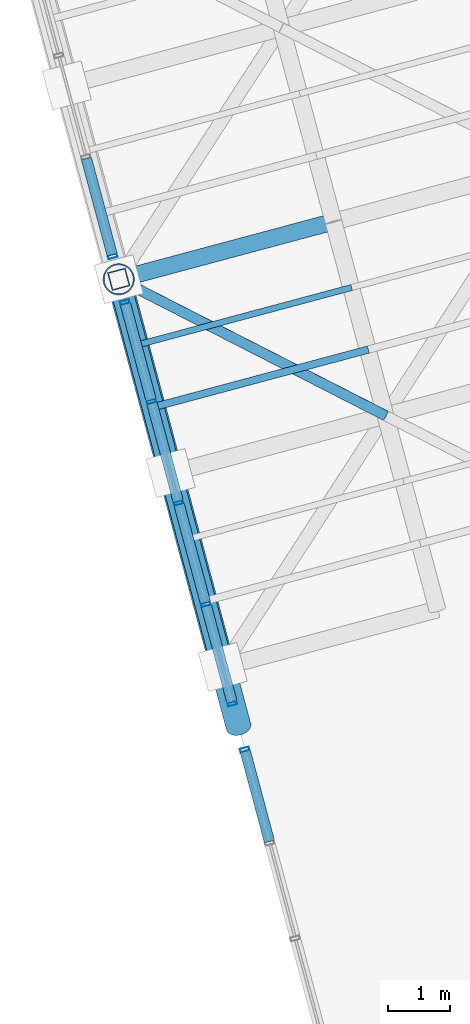
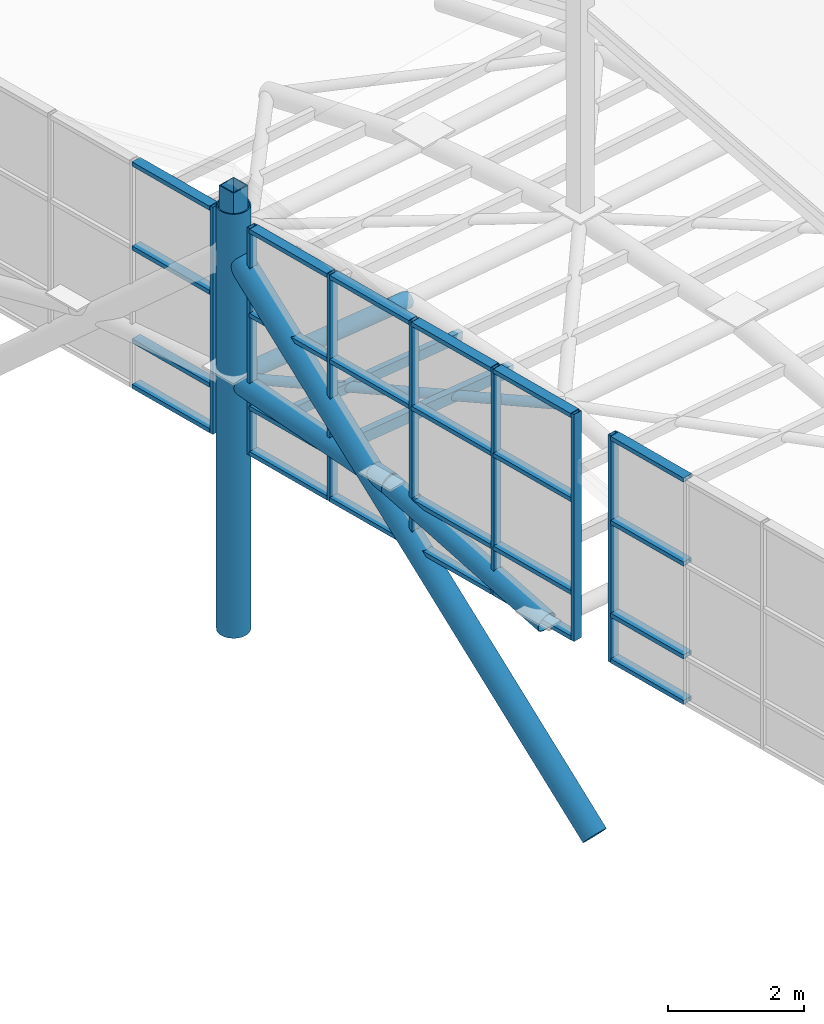
# One storey, part 2 of 28: 40 members, 3 elements without a shape of their own.
"""IFC4 building model written with IfcOpenShell, lengths in metres."""

from ifc_helpers import new_model, si_unit, direction, frame, origin, origin_2d, place, context, subcontext, project, spatial, hollow_rectangle, hollow_circle, extrude, material, layer, layer_set, material_profile, profile_set, type_object, element, aggregate, save


model = new_model("IFC4")

# Units and contexts
model_context = context("Model", 3, precision=1e-05, world=origin(), true_north=direction((0.0, 1.0)))
body_context = subcontext(model_context, "Body", "Model", "MODEL_VIEW")
ifc_project = project(units=[si_unit("LENGTHUNIT", "METRE"), si_unit("AREAUNIT", "SQUARE_METRE"), si_unit("VOLUMEUNIT", "CUBIC_METRE"), si_unit("PLANEANGLEUNIT", "RADIAN"), si_unit("MASSUNIT", "GRAM", prefix="KILO")], contexts=[model_context])

# Site, building, storey
site_placement = place(None, origin())
site = spatial("IfcSite", under=ifc_project, at=site_placement, CompositionType="ELEMENT")
building_placement = place(site_placement, origin())
building = spatial("IfcBuilding", under=site, at=building_placement, Name="Ventoquebrada Cableway Terminal", CompositionType="ELEMENT")
storey_placement = place(building_placement, frame((0.0, 0.0, 23.39990234375)))
storey = spatial("IfcBuildingStorey", under=building, at=storey_placement, Name="RF", CompositionType="ELEMENT", Elevation=23.39990234375)

# Members
ifc_material_1 = material(Name="Steel ASTM A500 Grade C", Category="steel")
ifc_material_profile_1 = material_profile(ifc_material_1, hollow_circle(Radius=0.084228515625, WallThickness=0.008056640625, at=origin_2d()), Name="CHS168.3X8")
ifc_profile_set_1 = profile_set([ifc_material_profile_1], Name="Steel ASTM A500 Grade C")
member_type_1 = type_object("IfcMemberType", Name="BRC-GS02", PredefinedType="BRACE", material=ifc_profile_set_1)
member_1_placement = place(storey_placement, frame((48.613037109375, 82.341064453125, 1.10009765625), z_axis=(0.882407665793, -0.450930768727, -0.134231714452), x_axis=(0.455048974729, 0.890466411831, 0.0)))
element("IfcMember", 1, at=member_1_placement, inside=storey, type_object=member_type_1, Name="Saddle gridshell diagrid brace GBR-0202", PredefinedType="BRACE", context=body_context, shape_type="SweptSolid", body=[
    extrude(hollow_circle(Radius=0.084228515625, WallThickness=0.008056640625, at=origin_2d()), origin(), (0.0, 0.0, 1.0), 4.894287109375),
])
ifc_material_profile_2 = material_profile(ifc_material_1, hollow_circle(Radius=0.177734375, WallThickness=0.012451171875, at=origin_2d()), Name="CHS355.6X12.5")
ifc_profile_set_2 = profile_set([ifc_material_profile_2], Name="Steel ASTM A500 Grade C")
member_type_2 = type_object("IfcMemberType", Name="CHD-GS01", PredefinedType="CHORD", material=ifc_profile_set_2)
member_2_placement = place(storey_placement, frame((50.2958984375, 76.06298828125, -0.06982421875), z_axis=(-0.250082608142, 0.932515108145, 0.260526893401), x_axis=(-0.9658698883, -0.259027718353, 0.0)))
element("IfcMember", 2, at=member_2_placement, inside=storey, type_object=member_type_2, Name="Saddle gridshell arch chord GCH-0017", PredefinedType="CHORD", context=body_context, shape_type="SweptSolid", body=[
    extrude(hollow_circle(Radius=0.177734375, WallThickness=0.012451171875, at=origin_2d()), origin(), (0.0, 0.0, 1.0), 3.365966796875),
])
member_3_placement = place(storey_placement, frame((49.4541015625, 79.201904296875, 0.80712890625), z_axis=(-0.257753459957, 0.962030185232, 0.089783498388), x_axis=(-0.965931285943, -0.258798668539, 0.0)))
element("IfcMember", 3, at=member_3_placement, inside=storey, type_object=member_type_2, Name="Saddle gridshell arch chord GCH-0018", PredefinedType="CHORD", context=body_context, shape_type="SweptSolid", body=[
    extrude(hollow_circle(Radius=0.177734375, WallThickness=0.012451171875, at=origin_2d()), origin(), (0.0, 0.0, 1.0), 3.262939453125),
])
ifc_material_profile_3 = material_profile(ifc_material_1, hollow_circle(Radius=0.136474609375, WallThickness=0.012451171875, at=origin_2d()), Name="CHS273.0X12.5")
ifc_profile_set_3 = profile_set([ifc_material_profile_3], Name="Steel ASTM A500 Grade C")
member_type_3 = type_object("IfcMemberType", Name="CHD-GS02", PredefinedType="CHORD", material=ifc_profile_set_3)
member_4_placement = place(storey_placement, frame((48.613037109375, 82.341064453125, 1.10009765625), z_axis=(0.960343661369, 0.257309543412, -0.107386456027), x_axis=(-0.25880612736, 0.965929287495, 0.0)))
element("IfcMember", 4, at=member_4_placement, inside=storey, type_object=member_type_3, Name="Saddle gridshell longitudinal chord GLG-0143", PredefinedType="CHORD", context=body_context, shape_type="SweptSolid", body=[
    extrude(hollow_circle(Radius=0.136474609375, WallThickness=0.012451171875, at=origin_2d()), origin(), (0.0, 0.0, 1.0), 3.62158203125),
])

# Curtain wall, member
ifc_material_2 = material(Name="Anodized thermally-broken aluminium", Category="aluminium")
ifc_layer_1 = layer(ifc_material_2, 0.159912109375)
ifc_layer_set_1 = layer_set([ifc_layer_1], Name="Anodized thermally-broken aluminium")
curtain_wall_type_1 = type_object("IfcCurtainWallType", Name="CW-T49", PredefinedType="USERDEFINED", material=ifc_layer_set_1)
curtain_wall_1_placement = place(storey_placement, origin())
curtain_wall_1 = element("IfcCurtainWall", 5, at=curtain_wall_1_placement, inside=storey, type_object=curtain_wall_type_1, Name="Unitised glazed curtain wall CW-161", ObjectType="UNITISED CURTAIN WALL", PredefinedType="USERDEFINED")
ifc_material_profile_4 = material_profile(ifc_material_2, hollow_rectangle(XDim=0.06005859375, YDim=0.14990234375, WallThickness=0.00390625, at=origin_2d()), Name="CW-MUL-60X150")
ifc_profile_set_4 = profile_set([ifc_material_profile_4], Name="Anodized thermally-broken aluminium")
member_type_4 = type_object("IfcMemberType", Name="CWM-03", PredefinedType="MULLION", material=ifc_profile_set_4)
member_5_placement = place(storey_placement, frame((50.654052734375, 74.72509765625, -0.06298828125), z_axis=(0.0, 0.0, 1.0), x_axis=(0.258717892168, -0.96595292446, 0.0)))
member_5 = element("IfcMember", 6, at=member_5_placement, type_object=member_type_4, Name="Curtain wall mullion FML-0782", PredefinedType="MULLION", context=body_context, shape_type="SweptSolid", body=[
    extrude(hollow_rectangle(XDim=0.06005859375, YDim=0.14990234375, WallThickness=0.00390625, at=origin_2d()), origin(), (0.0, 0.0, 1.0), 4.068115234375),
])

# Curtain wall, members
ifc_layer_2 = layer(ifc_material_2, 0.159912109375)
ifc_layer_set_2 = layer_set([ifc_layer_2], Name="Anodized thermally-broken aluminium")
curtain_wall_type_2 = type_object("IfcCurtainWallType", Name="CW-T50", PredefinedType="USERDEFINED", material=ifc_layer_set_2)
curtain_wall_2_placement = place(storey_placement, origin())
curtain_wall_2 = element("IfcCurtainWall", 7, at=curtain_wall_2_placement, inside=storey, type_object=curtain_wall_type_2, Name="Unitised glazed curtain wall CW-162", ObjectType="UNITISED CURTAIN WALL", PredefinedType="USERDEFINED")
member_6_placement = place(storey_placement, frame((48.712890625, 81.968994140625, -0.06298828125), z_axis=(0.0, 0.0, 1.0), x_axis=(0.258835903649, -0.965921308897, 0.0)))
member_6 = element("IfcMember", 8, at=member_6_placement, type_object=member_type_4, Name="Curtain wall mullion FML-0786", PredefinedType="MULLION", context=body_context, shape_type="SweptSolid", body=[
    extrude(hollow_rectangle(XDim=0.06005859375, YDim=0.14990234375, WallThickness=0.00390625, at=origin_2d()), origin(), (0.0, 0.0, 1.0), 4.068115234375),
])
member_7_placement = place(storey_placement, frame((49.14404296875, 80.361083984375, -0.06298828125), z_axis=(0.0, 0.0, 1.0), x_axis=(0.258835903649, -0.965921308897, 0.0)))
member_7 = element("IfcMember", 9, at=member_7_placement, type_object=member_type_4, Name="Curtain wall mullion FML-0787", PredefinedType="MULLION", context=body_context, shape_type="SweptSolid", body=[
    extrude(hollow_rectangle(XDim=0.06005859375, YDim=0.14990234375, WallThickness=0.00390625, at=origin_2d()), origin(), (0.0, 0.0, 1.0), 4.068115234375),
])
member_8_placement = place(storey_placement, frame((49.583984375, 78.718994140625, -0.06298828125), z_axis=(0.0, 0.0, 1.0), x_axis=(0.258835903649, -0.965921308897, 0.0)))
member_8 = element("IfcMember", 10, at=member_8_placement, type_object=member_type_4, Name="Curtain wall mullion FML-0788", PredefinedType="MULLION", context=body_context, shape_type="SweptSolid", body=[
    extrude(hollow_rectangle(XDim=0.06005859375, YDim=0.14990234375, WallThickness=0.00390625, at=origin_2d()), origin(), (0.0, 0.0, 1.0), 4.068115234375),
])
member_9_placement = place(storey_placement, frame((50.02392578125, 77.076904296875, -0.06298828125), z_axis=(0.0, 0.0, 1.0), x_axis=(0.258835903649, -0.965921308897, 0.0)))
member_9 = element("IfcMember", 11, at=member_9_placement, type_object=member_type_4, Name="Curtain wall mullion FML-0789", PredefinedType="MULLION", context=body_context, shape_type="SweptSolid", body=[
    extrude(hollow_rectangle(XDim=0.06005859375, YDim=0.14990234375, WallThickness=0.00390625, at=origin_2d()), origin(), (0.0, 0.0, 1.0), 4.068115234375),
])
member_10_placement = place(storey_placement, frame((50.455078125, 75.468994140625, -0.06298828125), z_axis=(0.0, 0.0, 1.0), x_axis=(0.258835903649, -0.965921308897, 0.0)))
member_10 = element("IfcMember", 12, at=member_10_placement, type_object=member_type_4, Name="Curtain wall mullion FML-0790", PredefinedType="MULLION", context=body_context, shape_type="SweptSolid", body=[
    extrude(hollow_rectangle(XDim=0.06005859375, YDim=0.14990234375, WallThickness=0.00390625, at=origin_2d()), origin(), (0.0, 0.0, 1.0), 4.068115234375),
])

# Curtain wall, member
curtain_wall_3_placement = place(storey_placement, origin())
curtain_wall_3 = element("IfcCurtainWall", 13, at=curtain_wall_3_placement, inside=storey, type_object=curtain_wall_type_2, Name="Unitised glazed curtain wall CW-163", ObjectType="UNITISED CURTAIN WALL", PredefinedType="USERDEFINED")
member_11_placement = place(storey_placement, frame((48.513916015625, 82.712890625, -0.06298828125), z_axis=(0.0, 0.0, 1.0), x_axis=(0.258802186477, -0.965930343386, 0.0)))
member_11 = element("IfcMember", 14, at=member_11_placement, type_object=member_type_4, Name="Curtain wall mullion FML-0795", PredefinedType="MULLION", context=body_context, shape_type="SweptSolid", body=[
    extrude(hollow_rectangle(XDim=0.06005859375, YDim=0.14990234375, WallThickness=0.00390625, at=origin_2d()), origin(), (0.0, 0.0, 1.0), 4.068115234375),
])

# Member
ifc_material_profile_5 = material_profile(ifc_material_2, hollow_rectangle(XDim=0.074951171875, YDim=0.169921875, WallThickness=0.00439453125, at=origin_2d()), Name="CW-TRN-75X170")
ifc_profile_set_5 = profile_set([ifc_material_profile_5], Name="Anodized thermally-broken aluminium")
member_type_5 = type_object("IfcMemberType", Name="CWT-03", PredefinedType="USERDEFINED", material=ifc_profile_set_5)
member_12_placement = place(storey_placement, frame((50.660888671875, 74.700927734375, -0.02001953125), z_axis=(0.258725348456, -0.965950927359, 0.0), x_axis=(0.0, 0.0, 1.0)))
member_12 = element("IfcMember", 15, at=member_12_placement, type_object=member_type_5, Name="Curtain wall transom FTR-2284", ObjectType="TRANSOM", PredefinedType="USERDEFINED", context=body_context, shape_type="SweptSolid", body=[
    extrude(hollow_rectangle(XDim=0.074951171875, YDim=0.169921875, WallThickness=0.00439453125, at=origin_2d()), origin(), (0.0, 0.0, 1.0), 1.515380859375),
])

member_13_placement = place(storey_placement, frame((50.660888671875, 74.700927734375, 0.795166015625), z_axis=(0.258725348456, -0.965950927359, 0.0), x_axis=(0.0, 0.0, 1.0)))
member_13 = element("IfcMember", 16, at=member_13_placement, type_object=member_type_5, Name="Curtain wall transom FTR-2285", ObjectType="TRANSOM", PredefinedType="USERDEFINED", context=body_context, shape_type="SweptSolid", body=[
    extrude(hollow_rectangle(XDim=0.074951171875, YDim=0.169921875, WallThickness=0.00439453125, at=origin_2d()), origin(), (0.0, 0.0, 1.0), 1.515380859375),
])

member_14_placement = place(storey_placement, frame((50.660888671875, 74.700927734375, 2.458984375), z_axis=(0.258725348456, -0.965950927359, 0.0), x_axis=(0.0, 0.0, 1.0)))
member_14 = element("IfcMember", 17, at=member_14_placement, type_object=member_type_5, Name="Curtain wall transom FTR-2286", ObjectType="TRANSOM", PredefinedType="USERDEFINED", context=body_context, shape_type="SweptSolid", body=[
    extrude(hollow_rectangle(XDim=0.074951171875, YDim=0.169921875, WallThickness=0.00439453125, at=origin_2d()), origin(), (0.0, 0.0, 1.0), 1.515380859375),
])

member_15_placement = place(storey_placement, frame((50.660888671875, 74.700927734375, 3.965087890625), z_axis=(0.258725348456, -0.965950927359, 0.0), x_axis=(0.0, 0.0, 1.0)))
member_15 = element("IfcMember", 18, at=member_15_placement, type_object=member_type_5, Name="Curtain wall transom FTR-2287", ObjectType="TRANSOM", PredefinedType="USERDEFINED", context=body_context, shape_type="SweptSolid", body=[
    extrude(hollow_rectangle(XDim=0.074951171875, YDim=0.169921875, WallThickness=0.00439453125, at=origin_2d()), origin(), (0.0, 0.0, 1.0), 1.515380859375),
])

aggregate(curtain_wall_1, [member_5, member_12, member_13, member_14, member_15])

member_16_placement = place(storey_placement, frame((48.719970703125, 81.945068359375, -0.02001953125), z_axis=(0.258791494835, -0.96593320794, 0.0), x_axis=(0.0, 0.0, 1.0)))
member_16 = element("IfcMember", 19, at=member_16_placement, type_object=member_type_5, Name="Curtain wall transom FTR-2296", ObjectType="TRANSOM", PredefinedType="USERDEFINED", context=body_context, shape_type="SweptSolid", body=[
    extrude(hollow_rectangle(XDim=0.074951171875, YDim=0.169921875, WallThickness=0.00439453125, at=origin_2d()), origin(), (0.0, 0.0, 1.0), 1.614990234375),
])

member_17_placement = place(storey_placement, frame((48.719970703125, 81.945068359375, 0.795166015625), z_axis=(0.258791494835, -0.96593320794, 0.0), x_axis=(0.0, 0.0, 1.0)))
member_17 = element("IfcMember", 20, at=member_17_placement, type_object=member_type_5, Name="Curtain wall transom FTR-2297", ObjectType="TRANSOM", PredefinedType="USERDEFINED", context=body_context, shape_type="SweptSolid", body=[
    extrude(hollow_rectangle(XDim=0.074951171875, YDim=0.169921875, WallThickness=0.00439453125, at=origin_2d()), origin(), (0.0, 0.0, 1.0), 1.614990234375),
])

member_18_placement = place(storey_placement, frame((48.719970703125, 81.945068359375, 2.458984375), z_axis=(0.258791494835, -0.96593320794, 0.0), x_axis=(0.0, 0.0, 1.0)))
member_18 = element("IfcMember", 21, at=member_18_placement, type_object=member_type_5, Name="Curtain wall transom FTR-2298", ObjectType="TRANSOM", PredefinedType="USERDEFINED", context=body_context, shape_type="SweptSolid", body=[
    extrude(hollow_rectangle(XDim=0.074951171875, YDim=0.169921875, WallThickness=0.00439453125, at=origin_2d()), origin(), (0.0, 0.0, 1.0), 1.614990234375),
])

member_19_placement = place(storey_placement, frame((48.719970703125, 81.945068359375, 3.965087890625), z_axis=(0.258791494835, -0.96593320794, 0.0), x_axis=(0.0, 0.0, 1.0)))
member_19 = element("IfcMember", 22, at=member_19_placement, type_object=member_type_5, Name="Curtain wall transom FTR-2299", ObjectType="TRANSOM", PredefinedType="USERDEFINED", context=body_context, shape_type="SweptSolid", body=[
    extrude(hollow_rectangle(XDim=0.074951171875, YDim=0.169921875, WallThickness=0.00439453125, at=origin_2d()), origin(), (0.0, 0.0, 1.0), 1.614990234375),
])

member_20_placement = place(storey_placement, frame((49.14990234375, 80.3369140625, -0.02001953125), z_axis=(0.259310305754, -0.965794059481, 0.0), x_axis=(0.0, 0.0, 1.0)))
member_20 = element("IfcMember", 23, at=member_20_placement, type_object=member_type_5, Name="Curtain wall transom FTR-2300", ObjectType="TRANSOM", PredefinedType="USERDEFINED", context=body_context, shape_type="SweptSolid", body=[
    extrude(hollow_rectangle(XDim=0.074951171875, YDim=0.169921875, WallThickness=0.00439453125, at=origin_2d()), origin(), (0.0, 0.0, 1.0), 1.650390625),
])

member_21_placement = place(storey_placement, frame((49.14990234375, 80.3369140625, 0.795166015625), z_axis=(0.259310305754, -0.965794059481, 0.0), x_axis=(0.0, 0.0, 1.0)))
member_21 = element("IfcMember", 24, at=member_21_placement, type_object=member_type_5, Name="Curtain wall transom FTR-2301", ObjectType="TRANSOM", PredefinedType="USERDEFINED", context=body_context, shape_type="SweptSolid", body=[
    extrude(hollow_rectangle(XDim=0.074951171875, YDim=0.169921875, WallThickness=0.00439453125, at=origin_2d()), origin(), (0.0, 0.0, 1.0), 1.650390625),
])

member_22_placement = place(storey_placement, frame((49.14990234375, 80.3369140625, 2.458984375), z_axis=(0.259310305754, -0.965794059481, 0.0), x_axis=(0.0, 0.0, 1.0)))
member_22 = element("IfcMember", 25, at=member_22_placement, type_object=member_type_5, Name="Curtain wall transom FTR-2302", ObjectType="TRANSOM", PredefinedType="USERDEFINED", context=body_context, shape_type="SweptSolid", body=[
    extrude(hollow_rectangle(XDim=0.074951171875, YDim=0.169921875, WallThickness=0.00439453125, at=origin_2d()), origin(), (0.0, 0.0, 1.0), 1.650390625),
])

member_23_placement = place(storey_placement, frame((49.14990234375, 80.3369140625, 3.965087890625), z_axis=(0.259310305754, -0.965794059481, 0.0), x_axis=(0.0, 0.0, 1.0)))
member_23 = element("IfcMember", 26, at=member_23_placement, type_object=member_type_5, Name="Curtain wall transom FTR-2303", ObjectType="TRANSOM", PredefinedType="USERDEFINED", context=body_context, shape_type="SweptSolid", body=[
    extrude(hollow_rectangle(XDim=0.074951171875, YDim=0.169921875, WallThickness=0.00439453125, at=origin_2d()), origin(), (0.0, 0.0, 1.0), 1.650390625),
])

member_24_placement = place(storey_placement, frame((49.590087890625, 78.695068359375, -0.02001953125), z_axis=(0.259310305754, -0.965794059481, 0.0), x_axis=(0.0, 0.0, 1.0)))
member_24 = element("IfcMember", 27, at=member_24_placement, type_object=member_type_5, Name="Curtain wall transom FTR-2304", ObjectType="TRANSOM", PredefinedType="USERDEFINED", context=body_context, shape_type="SweptSolid", body=[
    extrude(hollow_rectangle(XDim=0.074951171875, YDim=0.169921875, WallThickness=0.00439453125, at=origin_2d()), origin(), (0.0, 0.0, 1.0), 1.650390625),
])

member_25_placement = place(storey_placement, frame((49.590087890625, 78.695068359375, 0.795166015625), z_axis=(0.259310305754, -0.965794059481, 0.0), x_axis=(0.0, 0.0, 1.0)))
member_25 = element("IfcMember", 28, at=member_25_placement, type_object=member_type_5, Name="Curtain wall transom FTR-2305", ObjectType="TRANSOM", PredefinedType="USERDEFINED", context=body_context, shape_type="SweptSolid", body=[
    extrude(hollow_rectangle(XDim=0.074951171875, YDim=0.169921875, WallThickness=0.00439453125, at=origin_2d()), origin(), (0.0, 0.0, 1.0), 1.650390625),
])

member_26_placement = place(storey_placement, frame((49.590087890625, 78.695068359375, 2.458984375), z_axis=(0.259310305754, -0.965794059481, 0.0), x_axis=(0.0, 0.0, 1.0)))
member_26 = element("IfcMember", 29, at=member_26_placement, type_object=member_type_5, Name="Curtain wall transom FTR-2306", ObjectType="TRANSOM", PredefinedType="USERDEFINED", context=body_context, shape_type="SweptSolid", body=[
    extrude(hollow_rectangle(XDim=0.074951171875, YDim=0.169921875, WallThickness=0.00439453125, at=origin_2d()), origin(), (0.0, 0.0, 1.0), 1.650390625),
])

member_27_placement = place(storey_placement, frame((49.590087890625, 78.695068359375, 3.965087890625), z_axis=(0.259310305754, -0.965794059481, 0.0), x_axis=(0.0, 0.0, 1.0)))
member_27 = element("IfcMember", 30, at=member_27_placement, type_object=member_type_5, Name="Curtain wall transom FTR-2307", ObjectType="TRANSOM", PredefinedType="USERDEFINED", context=body_context, shape_type="SweptSolid", body=[
    extrude(hollow_rectangle(XDim=0.074951171875, YDim=0.169921875, WallThickness=0.00439453125, at=origin_2d()), origin(), (0.0, 0.0, 1.0), 1.650390625),
])

member_28_placement = place(storey_placement, frame((50.030029296875, 77.052978515625, -0.02001953125), z_axis=(0.258791494835, -0.96593320794, 0.0), x_axis=(0.0, 0.0, 1.0)))
member_28 = element("IfcMember", 31, at=member_28_placement, type_object=member_type_5, Name="Curtain wall transom FTR-2308", ObjectType="TRANSOM", PredefinedType="USERDEFINED", context=body_context, shape_type="SweptSolid", body=[
    extrude(hollow_rectangle(XDim=0.074951171875, YDim=0.169921875, WallThickness=0.00439453125, at=origin_2d()), origin(), (0.0, 0.0, 1.0), 1.614990234375),
])

member_29_placement = place(storey_placement, frame((50.030029296875, 77.052978515625, 0.795166015625), z_axis=(0.258791494835, -0.96593320794, 0.0), x_axis=(0.0, 0.0, 1.0)))
member_29 = element("IfcMember", 32, at=member_29_placement, type_object=member_type_5, Name="Curtain wall transom FTR-2309", ObjectType="TRANSOM", PredefinedType="USERDEFINED", context=body_context, shape_type="SweptSolid", body=[
    extrude(hollow_rectangle(XDim=0.074951171875, YDim=0.169921875, WallThickness=0.00439453125, at=origin_2d()), origin(), (0.0, 0.0, 1.0), 1.614990234375),
])

member_30_placement = place(storey_placement, frame((50.030029296875, 77.052978515625, 2.458984375), z_axis=(0.258791494835, -0.96593320794, 0.0), x_axis=(0.0, 0.0, 1.0)))
member_30 = element("IfcMember", 33, at=member_30_placement, type_object=member_type_5, Name="Curtain wall transom FTR-2310", ObjectType="TRANSOM", PredefinedType="USERDEFINED", context=body_context, shape_type="SweptSolid", body=[
    extrude(hollow_rectangle(XDim=0.074951171875, YDim=0.169921875, WallThickness=0.00439453125, at=origin_2d()), origin(), (0.0, 0.0, 1.0), 1.614990234375),
])

member_31_placement = place(storey_placement, frame((50.030029296875, 77.052978515625, 3.965087890625), z_axis=(0.258791494835, -0.96593320794, 0.0), x_axis=(0.0, 0.0, 1.0)))
member_31 = element("IfcMember", 34, at=member_31_placement, type_object=member_type_5, Name="Curtain wall transom FTR-2311", ObjectType="TRANSOM", PredefinedType="USERDEFINED", context=body_context, shape_type="SweptSolid", body=[
    extrude(hollow_rectangle(XDim=0.074951171875, YDim=0.169921875, WallThickness=0.00439453125, at=origin_2d()), origin(), (0.0, 0.0, 1.0), 1.614990234375),
])

aggregate(curtain_wall_2, [member_6, member_7, member_8, member_9, member_10, member_16, member_17, member_18, member_19, member_20, member_21, member_22, member_23, member_24, member_25, member_26, member_27, member_28, member_29, member_30, member_31])

member_32_placement = place(storey_placement, frame((48.089111328125, 84.297119140625, -0.02001953125), z_axis=(0.258791494835, -0.96593320794, 0.0), x_axis=(0.0, 0.0, 1.0)))
member_32 = element("IfcMember", 35, at=member_32_placement, type_object=member_type_5, Name="Curtain wall transom FTR-2324", ObjectType="TRANSOM", PredefinedType="USERDEFINED", context=body_context, shape_type="SweptSolid", body=[
    extrude(hollow_rectangle(XDim=0.074951171875, YDim=0.169921875, WallThickness=0.00439453125, at=origin_2d()), origin(), (0.0, 0.0, 1.0), 1.614990234375),
])

member_33_placement = place(storey_placement, frame((48.089111328125, 84.297119140625, 0.795166015625), z_axis=(0.258791494835, -0.96593320794, 0.0), x_axis=(0.0, 0.0, 1.0)))
member_33 = element("IfcMember", 36, at=member_33_placement, type_object=member_type_5, Name="Curtain wall transom FTR-2325", ObjectType="TRANSOM", PredefinedType="USERDEFINED", context=body_context, shape_type="SweptSolid", body=[
    extrude(hollow_rectangle(XDim=0.074951171875, YDim=0.169921875, WallThickness=0.00439453125, at=origin_2d()), origin(), (0.0, 0.0, 1.0), 1.614990234375),
])

member_34_placement = place(storey_placement, frame((48.089111328125, 84.297119140625, 2.458984375), z_axis=(0.258791494835, -0.96593320794, 0.0), x_axis=(0.0, 0.0, 1.0)))
member_34 = element("IfcMember", 37, at=member_34_placement, type_object=member_type_5, Name="Curtain wall transom FTR-2326", ObjectType="TRANSOM", PredefinedType="USERDEFINED", context=body_context, shape_type="SweptSolid", body=[
    extrude(hollow_rectangle(XDim=0.074951171875, YDim=0.169921875, WallThickness=0.00439453125, at=origin_2d()), origin(), (0.0, 0.0, 1.0), 1.614990234375),
])

member_35_placement = place(storey_placement, frame((48.089111328125, 84.297119140625, 3.965087890625), z_axis=(0.258791494835, -0.96593320794, 0.0), x_axis=(0.0, 0.0, 1.0)))
member_35 = element("IfcMember", 38, at=member_35_placement, type_object=member_type_5, Name="Curtain wall transom FTR-2327", ObjectType="TRANSOM", PredefinedType="USERDEFINED", context=body_context, shape_type="SweptSolid", body=[
    extrude(hollow_rectangle(XDim=0.074951171875, YDim=0.169921875, WallThickness=0.00439453125, at=origin_2d()), origin(), (0.0, 0.0, 1.0), 1.614990234375),
])

aggregate(curtain_wall_3, [member_11, member_32, member_33, member_34, member_35])

# Members
ifc_material_profile_6 = material_profile(ifc_material_1, hollow_circle(Radius=0.25390625, WallThickness=0.02001953125, at=origin_2d()), Name="CHS508.0X20")
ifc_profile_set_6 = profile_set([ifc_material_profile_6], Name="Steel ASTM A500 Grade C")
member_type_6 = type_object("IfcMemberType", Name="MST-PT01", PredefinedType="STRUT", material=ifc_profile_set_6)
member_36_placement = place(storey_placement, frame((48.613037109375, 82.341064453125, -3.39990234375), z_axis=(0.0, 0.0, 1.0), x_axis=(1.0, 0.0, 0.0)))
element("IfcMember", 39, at=member_36_placement, inside=storey, type_object=member_type_6, Name="Ropeway portal mast MST-01", PredefinedType="STRUT", context=body_context, shape_type="SweptSolid", body=[
    extrude(hollow_circle(Radius=0.25390625, WallThickness=0.02001953125, at=origin_2d()), origin(), (0.0, 0.0, 1.0), 7.60009765625),
])
ifc_material_profile_7 = material_profile(ifc_material_1, hollow_rectangle(XDim=0.1201171875, YDim=0.199951171875, WallThickness=0.008056640625, at=origin_2d()), Name="RHS200X120X8")
ifc_profile_set_7 = profile_set([ifc_material_profile_7], Name="Steel ASTM A500 Grade C")
member_type_7 = type_object("IfcMemberType", Name="PUR-RF01", PredefinedType="PURLIN", material=ifc_profile_set_7)
member_37_placement = place(storey_placement, frame((49.16796875, 80.26904296875, 0.906982421875), z_axis=(0.960793304129, 0.257430018381, -0.102985495957), x_axis=(-0.25880612736, 0.965929287495, 0.0)))
element("IfcMember", 40, at=member_37_placement, inside=storey, type_object=member_type_7, Name="Gridshell secondary roof purlin GPR-0203", PredefinedType="PURLIN", context=body_context, shape_type="SweptSolid", body=[
    extrude(hollow_rectangle(XDim=0.1201171875, YDim=0.199951171875, WallThickness=0.008056640625, at=origin_2d()), origin(), (0.0, 0.0, 1.0), 3.619873046875),
])
ifc_material_profile_8 = material_profile(ifc_material_1, hollow_rectangle(XDim=0.10009765625, YDim=0.179931640625, WallThickness=0.008056640625, at=origin_2d()), Name="RHS180X100X8")
ifc_profile_set_8 = profile_set([ifc_material_profile_8], Name="Steel ASTM A500 Grade C")
member_type_8 = type_object("IfcMemberType", Name="PUR-RF02", PredefinedType="PURLIN", material=ifc_profile_set_8)
member_38_placement = place(storey_placement, frame((48.89892578125, 81.27392578125, 1.0), z_axis=(0.960581326504, 0.257440650329, -0.104918190653), x_axis=(-0.258869387716, 0.96591233562, 0.0)))
element("IfcMember", 41, at=member_38_placement, inside=storey, type_object=member_type_8, Name="Gridshell secondary roof purlin GPR-0204", PredefinedType="PURLIN", context=body_context, shape_type="SweptSolid", body=[
    extrude(hollow_rectangle(XDim=0.10009765625, YDim=0.179931640625, WallThickness=0.008056640625, at=origin_2d()), origin(), (0.0, 0.0, 1.0), 3.620849609375),
])
ifc_material_profile_9 = material_profile(ifc_material_1, hollow_circle(Radius=0.203125, WallThickness=0.01611328125, at=origin_2d()), Name="CHS406.4X16")
ifc_profile_set_9 = profile_set([ifc_material_profile_9], Name="Steel ASTM A500 Grade C")
member_type_9 = type_object("IfcMemberType", Name="STR-RK01", PredefinedType="STRUT", material=ifc_profile_set_9)
member_39_placement = place(storey_placement, frame((50.553955078125, 75.096923828125, -3.39990234375), z_axis=(-0.191723867187, 0.715576174488, 0.671708789027), x_axis=(-0.965930615067, -0.258801172479, 0.0)))
element("IfcMember", 42, at=member_39_placement, inside=storey, type_object=member_type_9, Name="Portal mast stay strut MST-ST-0433", PredefinedType="STRUT", context=body_context, shape_type="SweptSolid", body=[
    extrude(hollow_circle(Radius=0.203125, WallThickness=0.01611328125, at=origin_2d()), origin(), (0.0, 0.0, 1.0), 10.12353515625),
])
ifc_material_profile_10 = material_profile(ifc_material_1, hollow_rectangle(XDim=0.300048828125, YDim=0.300048828125, WallThickness=0.01611328125, at=origin_2d()), Name="HSS300X300X16")
ifc_profile_set_10 = profile_set([ifc_material_profile_10], Name="Steel ASTM A500 Grade C")
member_type_10 = type_object("IfcMemberType", Name="STR-VS01", PredefinedType="STRUT", material=ifc_profile_set_10)
member_40_placement = place(storey_placement, frame((48.613037109375, 82.341064453125, 1.10009765625), z_axis=(0.0, 0.0, 1.0), x_axis=(0.965925826289, 0.258819045103, 0.0)))
element("IfcMember", 43, at=member_40_placement, inside=storey, type_object=member_type_10, Name="Gridshell deck stand-off post GS-SP-0440", PredefinedType="STRUT", context=body_context, shape_type="SweptSolid", body=[
    extrude(hollow_rectangle(XDim=0.300048828125, YDim=0.300048828125, WallThickness=0.01611328125, at=origin_2d()), origin(), (0.0, 0.0, 1.0), 3.446044921875),
])

save(model, "model.ifc")
